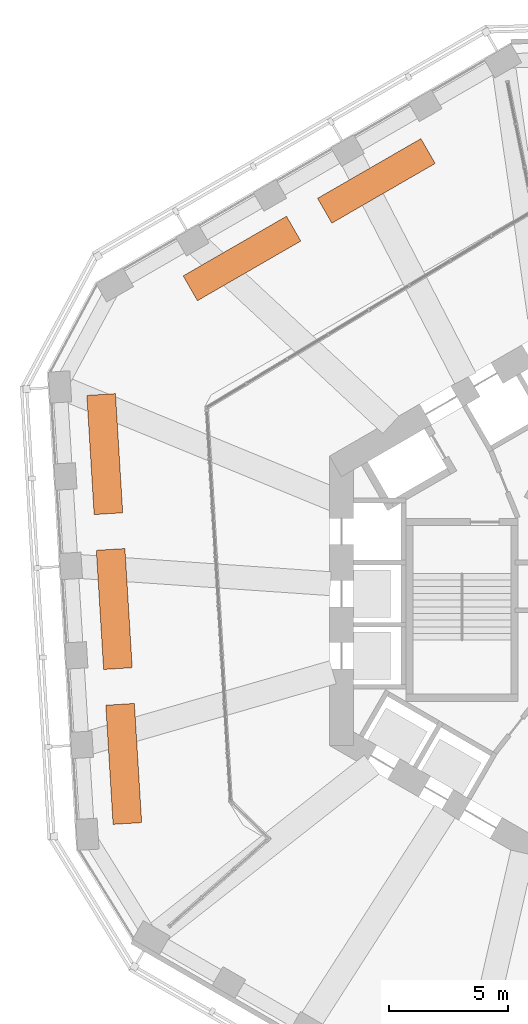
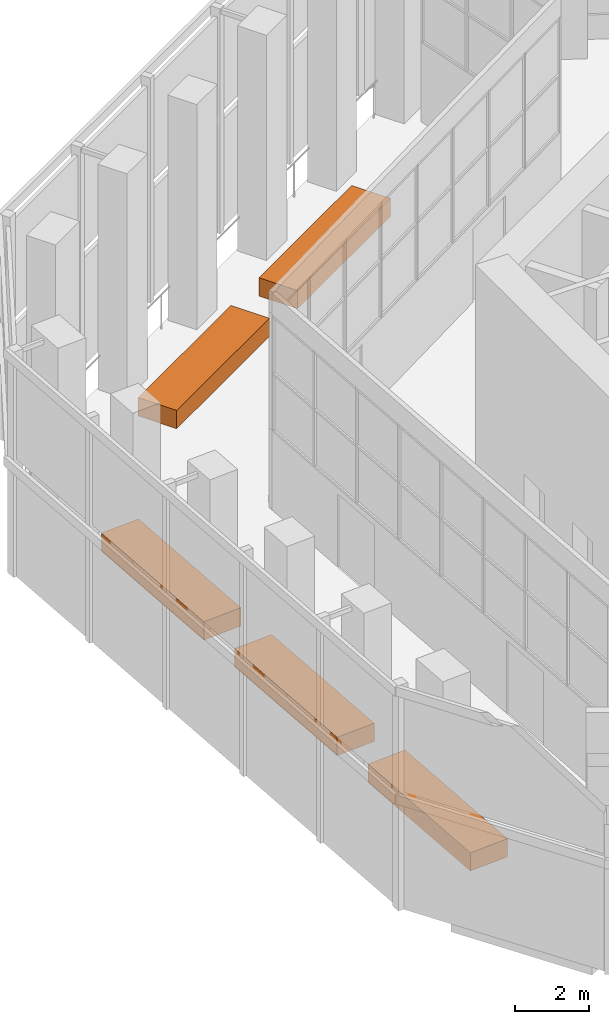
# One storey, part 19 of 19: 5 proxies.
"""IFC4 building model written with IfcOpenShell, lengths in metres."""

from ifc_helpers import new_model, si_unit, direction, frame, origin, origin_2d, place, context, subcontext, project, spatial, rectangle, extrude, material, type_object, element, save


model = new_model("IFC4")

# Units and contexts
model_context = context("Model", 3, precision=1e-05, world=origin(), true_north=direction((0.0, 1.0)))
body_context = subcontext(model_context, "Body", "Model", "MODEL_VIEW")
ifc_project = project(units=[si_unit("LENGTHUNIT", "METRE"), si_unit("AREAUNIT", "SQUARE_METRE"), si_unit("VOLUMEUNIT", "CUBIC_METRE"), si_unit("PLANEANGLEUNIT", "RADIAN"), si_unit("MASSUNIT", "GRAM", prefix="KILO")], contexts=[model_context])

# Site, building, storey
site_placement = place(None, origin())
site = spatial("IfcSite", under=ifc_project, at=site_placement, CompositionType="ELEMENT")
building_placement = place(site_placement, origin())
building = spatial("IfcBuilding", under=site, at=building_placement, Name="Vanh Sen Convention Tower", CompositionType="ELEMENT")
storey_placement = place(building_placement, frame((0.0, 0.0, 139.199951171875)))
storey = spatial("IfcBuildingStorey", under=building, at=storey_placement, Name="L34", CompositionType="ELEMENT", Elevation=139.199951171875)

# Proxies
ifc_material = material(Name="Planting bed (soil and planting)")
building_element_proxy_type = type_object("IfcBuildingElementProxyType", Name="Planting bed", PredefinedType="USERDEFINED", material=ifc_material)
for number, where, z_axis, x_axis, name in (
    (1, (-8.536865234375, 17.587890625, 0.0), (0.0, 0.0, 1.0), (-0.866024531118, -0.500001511499, 0.0), "Sky garden PLANTER P01 L34"),
    (2, (-14.166015625, 14.337890625, 0.0), (0.0, 0.0, 1.0), (-0.866024531118, -0.500001511499, 0.0), "Sky garden PLANTER P02 L34"),
    (3, (-19.912109375, 6.14404296875, 0.0), (0.0, 0.0, 1.0), (0.061045055387, -0.998135011515, 0.0), "Sky garden PLANTER P03 L34"),
    (4, (-19.515380859375, -0.34375, 0.0), (0.0, 0.0, 1.0), (0.061045055387, -0.998135011515, 0.0), "Sky garden PLANTER P04 L34"),
    (5, (-19.11865234375, -6.831787109375, 0.0), (0.0, 0.0, 1.0), (0.061045055387, -0.998135011515, 0.0), "Sky garden PLANTER P05 L34"),
):
    element("IfcBuildingElementProxy", number, at=place(storey_placement, frame(where, z_axis=z_axis, x_axis=x_axis)), inside=storey, type_object=building_element_proxy_type, Name=name, ObjectType="PLANTER", PredefinedType="USERDEFINED", context=body_context, shape_type="SweptSolid", body=[
        extrude(rectangle(XDim=5.0, YDim=1.199951171875, at=origin_2d()), origin(), (0.0, 0.0, 1.0), 0.60009765625),
    ])

save(model, "model.ifc")
